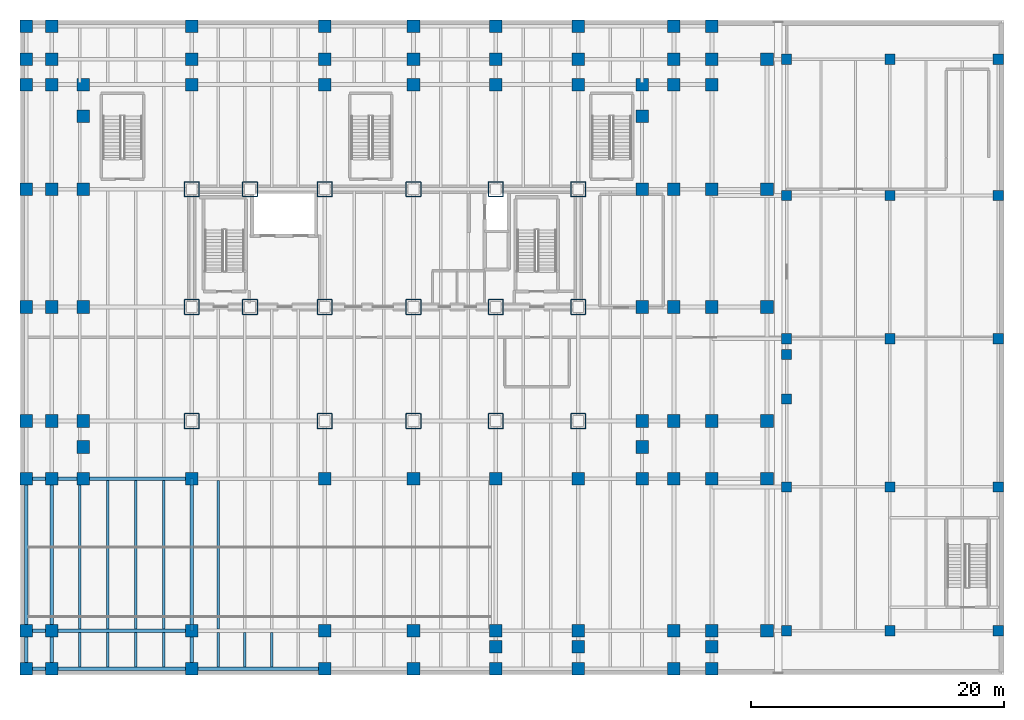
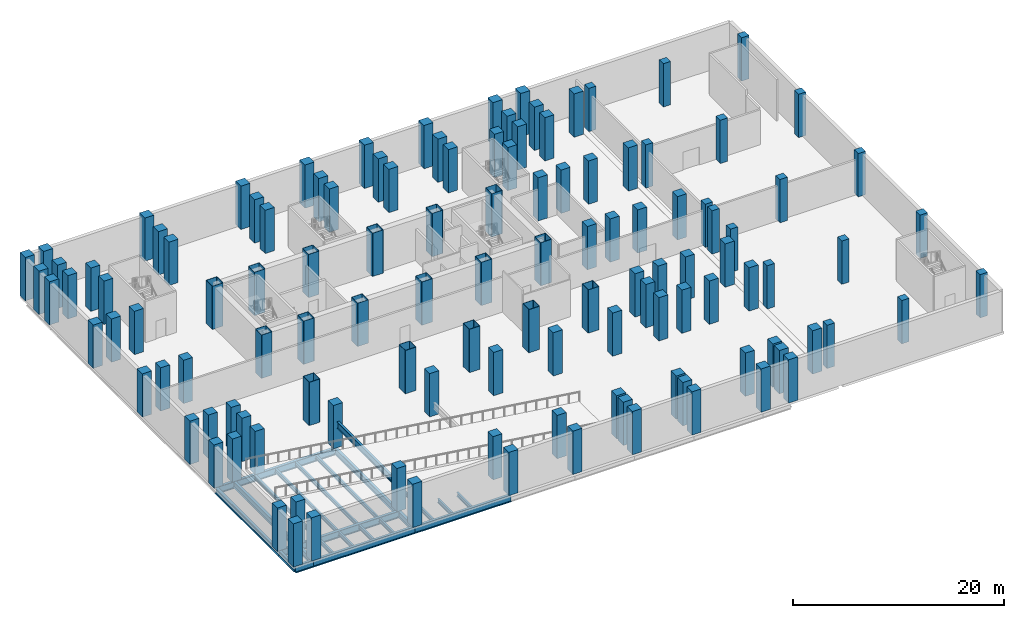
# One storey, part 1 of 18: 123 columns, 26 beams.
"""IFC4 building model written with IfcOpenShell, lengths in metres."""

from ifc_helpers import new_model, si_unit, direction, frame, origin, origin_2d, place, context, subcontext, project, spatial, rectangle, hollow_rectangle, i_section, extrude, material, material_profile, profile_set, type_object, element, save


model = new_model("IFC4")

# Units and contexts
model_context = context("Model", 3, precision=1e-05, world=origin(), true_north=direction((0.0, 1.0)))
body_context = subcontext(model_context, "Body", "Model", "MODEL_VIEW")
ifc_project = project(units=[si_unit("LENGTHUNIT", "METRE"), si_unit("AREAUNIT", "SQUARE_METRE"), si_unit("VOLUMEUNIT", "CUBIC_METRE"), si_unit("PLANEANGLEUNIT", "RADIAN"), si_unit("MASSUNIT", "GRAM", prefix="KILO")], contexts=[model_context])

# Site, building, storey
site_placement = place(None, origin())
site = spatial("IfcSite", under=ifc_project, at=site_placement, CompositionType="ELEMENT")
building_placement = place(site_placement, origin())
building = spatial("IfcBuilding", under=site, at=building_placement, Name="Noeulbin Bourse Tower", CompositionType="ELEMENT")
storey_placement = place(building_placement, frame((0.0, 0.0, -5.0)))
storey = spatial("IfcBuildingStorey", under=building, at=storey_placement, Name="B01", CompositionType="ELEMENT", Elevation=-5.0)

# Columns
ifc_material_1 = material(Name="Concrete C40/50", Category="concrete")
ifc_material_profile_1 = material_profile(ifc_material_1, rectangle(XDim=0.800048828125, YDim=0.800048828125, at=origin_2d()), Name="RC-COL-800x800", Category="LoadBearing")
ifc_profile_set_1 = profile_set([ifc_material_profile_1], Name="Concrete C40/50")
column_type_1 = type_object("IfcColumnType", Name="COL-MKT-RC", PredefinedType="COLUMN", material=ifc_profile_set_1)
for number, where, z_axis, x_axis, name in (
    (1, (60.449951171875, 3.449951171875, 0.0), (0.0, 0.0, 1.0), (1.0, 0.0, 0.0), "Market Hall Column COL-MKT-RC 01"),
    (2, (60.449951171875, 14.800048828125, 0.0), (0.0, 0.0, 1.0), (1.0, 0.0, 0.0), "Market Hall Column COL-MKT-RC 02"),
    (3, (60.449951171875, 21.75, 0.0), (0.0, 0.0, 1.0), (1.0, 0.0, 0.0), "Market Hall Column COL-MKT-RC 03"),
    (4, (60.449951171875, 25.25, 0.0), (0.0, 0.0, 1.0), (1.0, 0.0, 0.0), "Market Hall Column COL-MKT-RC 04"),
    (5, (60.449951171875, 26.5, 0.0), (0.0, 0.0, 1.0), (1.0, 0.0, 0.0), "Market Hall Column COL-MKT-RC 05"),
    (6, (60.449951171875, 37.800048828125, 0.0), (0.0, 0.0, 1.0), (1.0, 0.0, 0.0), "Market Hall Column COL-MKT-RC 06"),
    (7, (60.449951171875, 48.550048828125, 0.0), (0.0, 0.0, 1.0), (1.0, 0.0, 0.0), "Market Hall Column COL-MKT-RC 07"),
    (8, (68.60009765625, 3.449951171875, 0.0), (0.0, 0.0, 1.0), (1.0, 0.0, 0.0), "Market Hall Column COL-MKT-RC 08"),
    (9, (68.60009765625, 14.800048828125, 0.0), (0.0, 0.0, 1.0), (1.0, 0.0, 0.0), "Market Hall Column COL-MKT-RC 09"),
    (10, (68.60009765625, 26.5, 0.0), (0.0, 0.0, 1.0), (1.0, 0.0, 0.0), "Market Hall Column COL-MKT-RC 10"),
    (11, (68.60009765625, 37.800048828125, 0.0), (0.0, 0.0, 1.0), (1.0, 0.0, 0.0), "Market Hall Column COL-MKT-RC 11"),
    (12, (68.60009765625, 48.550048828125, 0.0), (0.0, 0.0, 1.0), (1.0, 0.0, 0.0), "Market Hall Column COL-MKT-RC 12"),
    (13, (77.14990234375, 3.449951171875, 0.0), (0.0, 0.0, 1.0), (1.0, 0.0, 0.0), "Market Hall Column COL-MKT-RC 13"),
    (14, (77.14990234375, 14.800048828125, 0.0), (0.0, 0.0, 1.0), (1.0, 0.0, 0.0), "Market Hall Column COL-MKT-RC 14"),
    (15, (77.14990234375, 26.5, 0.0), (0.0, 0.0, 1.0), (1.0, 0.0, 0.0), "Market Hall Column COL-MKT-RC 15"),
    (16, (77.14990234375, 37.800048828125, 0.0), (0.0, 0.0, 1.0), (1.0, 0.0, 0.0), "Market Hall Column COL-MKT-RC 16"),
    (17, (77.14990234375, 48.550048828125, 0.0), (0.0, 0.0, 1.0), (1.0, 0.0, 0.0), "Market Hall Column COL-MKT-RC 17"),
):
    element("IfcColumn", number, at=place(storey_placement, frame(where, z_axis=z_axis, x_axis=x_axis)), inside=storey, type_object=column_type_1, Name=name, PredefinedType="COLUMN", context=body_context, shape_type="SweptSolid", body=[
        extrude(rectangle(XDim=0.800048828125, YDim=0.800048828125, at=origin_2d()), origin(), (0.0, 0.0, 1.0), 5.0),
    ])
ifc_material_2 = material(Name="Concrete C50/60", Category="concrete")
ifc_material_profile_2 = material_profile(ifc_material_2, rectangle(XDim=1.0, YDim=1.0, at=origin_2d()), Name="RC-COL-1000x1000", Category="LoadBearing")
ifc_profile_set_2 = profile_set([ifc_material_profile_2], Name="Concrete C50/60")
column_type_2 = type_object("IfcColumnType", Name="COL-STN-RC", PredefinedType="COLUMN", material=ifc_profile_set_2)
for number, where, z_axis, x_axis, name in (
    (18, (0.449951171875, 0.449951171875, 0.0), (0.0, 0.0, 1.0), (1.0, 0.0, 0.0), "Podium Column COL-STN-RC 01"),
    (19, (0.449951171875, 3.449951171875, 0.0), (0.0, 0.0, 1.0), (1.0, 0.0, 0.0), "Podium Column COL-STN-RC 02"),
    (20, (0.449951171875, 15.449951171875, 0.0), (0.0, 0.0, 1.0), (1.0, 0.0, 0.0), "Podium Column COL-STN-RC 03"),
    (21, (0.449951171875, 20.0, 0.0), (0.0, 0.0, 1.0), (1.0, 0.0, 0.0), "Podium Column COL-STN-RC 04"),
    (22, (0.449951171875, 29.0, 0.0), (0.0, 0.0, 1.0), (1.0, 0.0, 0.0), "Podium Column COL-STN-RC 05"),
    (23, (0.449951171875, 38.300048828125, 0.0), (0.0, 0.0, 1.0), (1.0, 0.0, 0.0), "Podium Column COL-STN-RC 06"),
    (24, (0.449951171875, 46.550048828125, 0.0), (0.0, 0.0, 1.0), (1.0, 0.0, 0.0), "Podium Column COL-STN-RC 07"),
    (25, (0.449951171875, 48.550048828125, 0.0), (0.0, 0.0, 1.0), (1.0, 0.0, 0.0), "Podium Column COL-STN-RC 08"),
    (26, (0.449951171875, 51.14990234375, 0.0), (0.0, 0.0, 1.0), (1.0, 0.0, 0.0), "Podium Column COL-STN-RC 09"),
    (27, (2.449951171875, 0.449951171875, 0.0), (0.0, 0.0, 1.0), (1.0, 0.0, 0.0), "Podium Column COL-STN-RC 10"),
    (28, (2.449951171875, 3.449951171875, 0.0), (0.0, 0.0, 1.0), (1.0, 0.0, 0.0), "Podium Column COL-STN-RC 11"),
    (29, (2.449951171875, 15.449951171875, 0.0), (0.0, 0.0, 1.0), (1.0, 0.0, 0.0), "Podium Column COL-STN-RC 12"),
    (30, (2.449951171875, 20.0, 0.0), (0.0, 0.0, 1.0), (1.0, 0.0, 0.0), "Podium Column COL-STN-RC 13"),
    (31, (2.449951171875, 29.0, 0.0), (0.0, 0.0, 1.0), (1.0, 0.0, 0.0), "Podium Column COL-STN-RC 14"),
    (32, (2.449951171875, 38.300048828125, 0.0), (0.0, 0.0, 1.0), (1.0, 0.0, 0.0), "Podium Column COL-STN-RC 15"),
    (33, (2.449951171875, 46.550048828125, 0.0), (0.0, 0.0, 1.0), (1.0, 0.0, 0.0), "Podium Column COL-STN-RC 16"),
    (34, (2.449951171875, 48.550048828125, 0.0), (0.0, 0.0, 1.0), (1.0, 0.0, 0.0), "Podium Column COL-STN-RC 17"),
    (35, (2.449951171875, 51.14990234375, 0.0), (0.0, 0.0, 1.0), (1.0, 0.0, 0.0), "Podium Column COL-STN-RC 18"),
    (36, (4.949951171875, 15.449951171875, 0.0), (0.0, 0.0, 1.0), (1.0, 0.0, 0.0), "Podium Column COL-STN-RC 19"),
    (37, (4.949951171875, 17.949951171875, 0.0), (0.0, 0.0, 1.0), (1.0, 0.0, 0.0), "Podium Column COL-STN-RC 20"),
    (38, (4.949951171875, 20.0, 0.0), (0.0, 0.0, 1.0), (1.0, 0.0, 0.0), "Podium Column COL-STN-RC 21"),
    (39, (4.949951171875, 29.0, 0.0), (0.0, 0.0, 1.0), (1.0, 0.0, 0.0), "Podium Column COL-STN-RC 22"),
    (40, (4.949951171875, 38.300048828125, 0.0), (0.0, 0.0, 1.0), (1.0, 0.0, 0.0), "Podium Column COL-STN-RC 23"),
    (41, (4.949951171875, 44.050048828125, 0.0), (0.0, 0.0, 1.0), (1.0, 0.0, 0.0), "Podium Column COL-STN-RC 24"),
    (42, (4.949951171875, 46.550048828125, 0.0), (0.0, 0.0, 1.0), (1.0, 0.0, 0.0), "Podium Column COL-STN-RC 25"),
    (43, (13.5, 0.449951171875, 0.0), (0.0, 0.0, 1.0), (1.0, 0.0, 0.0), "Podium Column COL-STN-RC 26"),
    (44, (13.5, 3.449951171875, 0.0), (0.0, 0.0, 1.0), (1.0, 0.0, 0.0), "Podium Column COL-STN-RC 27"),
    (45, (13.5, 15.449951171875, 0.0), (0.0, 0.0, 1.0), (1.0, 0.0, 0.0), "Podium Column COL-STN-RC 28"),
    (46, (13.5, 46.550048828125, 0.0), (0.0, 0.0, 1.0), (1.0, 0.0, 0.0), "Podium Column COL-STN-RC 29"),
    (47, (13.5, 48.550048828125, 0.0), (0.0, 0.0, 1.0), (1.0, 0.0, 0.0), "Podium Column COL-STN-RC 30"),
    (48, (13.5, 51.14990234375, 0.0), (0.0, 0.0, 1.0), (1.0, 0.0, 0.0), "Podium Column COL-STN-RC 31"),
    (49, (24.0, 0.449951171875, 0.0), (0.0, 0.0, 1.0), (1.0, 0.0, 0.0), "Podium Column COL-STN-RC 32"),
    (50, (24.0, 3.449951171875, 0.0), (0.0, 0.0, 1.0), (1.0, 0.0, 0.0), "Podium Column COL-STN-RC 33"),
    (51, (24.0, 15.449951171875, 0.0), (0.0, 0.0, 1.0), (1.0, 0.0, 0.0), "Podium Column COL-STN-RC 34"),
    (52, (24.0, 46.550048828125, 0.0), (0.0, 0.0, 1.0), (1.0, 0.0, 0.0), "Podium Column COL-STN-RC 35"),
    (53, (24.0, 48.550048828125, 0.0), (0.0, 0.0, 1.0), (1.0, 0.0, 0.0), "Podium Column COL-STN-RC 36"),
    (54, (24.0, 51.14990234375, 0.0), (0.0, 0.0, 1.0), (1.0, 0.0, 0.0), "Podium Column COL-STN-RC 37"),
    (55, (31.0, 0.449951171875, 0.0), (0.0, 0.0, 1.0), (1.0, 0.0, 0.0), "Podium Column COL-STN-RC 38"),
    (56, (31.0, 3.449951171875, 0.0), (0.0, 0.0, 1.0), (1.0, 0.0, 0.0), "Podium Column COL-STN-RC 39"),
    (57, (31.0, 15.449951171875, 0.0), (0.0, 0.0, 1.0), (1.0, 0.0, 0.0), "Podium Column COL-STN-RC 40"),
    (58, (31.0, 46.550048828125, 0.0), (0.0, 0.0, 1.0), (1.0, 0.0, 0.0), "Podium Column COL-STN-RC 41"),
    (59, (31.0, 48.550048828125, 0.0), (0.0, 0.0, 1.0), (1.0, 0.0, 0.0), "Podium Column COL-STN-RC 42"),
    (60, (31.0, 51.14990234375, 0.0), (0.0, 0.0, 1.0), (1.0, 0.0, 0.0), "Podium Column COL-STN-RC 43"),
    (61, (37.5, 0.449951171875, 0.0), (0.0, 0.0, 1.0), (1.0, 0.0, 0.0), "Podium Column COL-STN-RC 44"),
    (62, (37.5, 2.199951171875, 0.0), (0.0, 0.0, 1.0), (1.0, 0.0, 0.0), "Podium Column COL-STN-RC 45"),
    (63, (37.5, 3.449951171875, 0.0), (0.0, 0.0, 1.0), (1.0, 0.0, 0.0), "Podium Column COL-STN-RC 46"),
    (64, (37.5, 15.449951171875, 0.0), (0.0, 0.0, 1.0), (1.0, 0.0, 0.0), "Podium Column COL-STN-RC 47"),
    (65, (37.5, 46.550048828125, 0.0), (0.0, 0.0, 1.0), (1.0, 0.0, 0.0), "Podium Column COL-STN-RC 48"),
    (66, (37.5, 48.550048828125, 0.0), (0.0, 0.0, 1.0), (1.0, 0.0, 0.0), "Podium Column COL-STN-RC 49"),
    (67, (37.5, 51.14990234375, 0.0), (0.0, 0.0, 1.0), (1.0, 0.0, 0.0), "Podium Column COL-STN-RC 50"),
    (68, (44.0, 0.449951171875, 0.0), (0.0, 0.0, 1.0), (1.0, 0.0, 0.0), "Podium Column COL-STN-RC 51"),
    (69, (44.0, 2.199951171875, 0.0), (0.0, 0.0, 1.0), (1.0, 0.0, 0.0), "Podium Column COL-STN-RC 52"),
    (70, (44.0, 3.449951171875, 0.0), (0.0, 0.0, 1.0), (1.0, 0.0, 0.0), "Podium Column COL-STN-RC 53"),
    (71, (44.0, 15.449951171875, 0.0), (0.0, 0.0, 1.0), (1.0, 0.0, 0.0), "Podium Column COL-STN-RC 54"),
    (72, (44.0, 46.550048828125, 0.0), (0.0, 0.0, 1.0), (1.0, 0.0, 0.0), "Podium Column COL-STN-RC 55"),
    (73, (44.0, 48.550048828125, 0.0), (0.0, 0.0, 1.0), (1.0, 0.0, 0.0), "Podium Column COL-STN-RC 56"),
    (74, (44.0, 51.14990234375, 0.0), (0.0, 0.0, 1.0), (1.0, 0.0, 0.0), "Podium Column COL-STN-RC 57"),
    (75, (49.050048828125, 15.449951171875, 0.0), (0.0, 0.0, 1.0), (1.0, 0.0, 0.0), "Podium Column COL-STN-RC 58"),
    (76, (49.050048828125, 17.949951171875, 0.0), (0.0, 0.0, 1.0), (1.0, 0.0, 0.0), "Podium Column COL-STN-RC 59"),
    (77, (49.050048828125, 20.0, 0.0), (0.0, 0.0, 1.0), (1.0, 0.0, 0.0), "Podium Column COL-STN-RC 60"),
    (78, (49.050048828125, 29.0, 0.0), (0.0, 0.0, 1.0), (1.0, 0.0, 0.0), "Podium Column COL-STN-RC 61"),
    (79, (49.050048828125, 38.300048828125, 0.0), (0.0, 0.0, 1.0), (1.0, 0.0, 0.0), "Podium Column COL-STN-RC 62"),
    (80, (49.050048828125, 44.050048828125, 0.0), (0.0, 0.0, 1.0), (1.0, 0.0, 0.0), "Podium Column COL-STN-RC 63"),
    (81, (49.050048828125, 46.550048828125, 0.0), (0.0, 0.0, 1.0), (1.0, 0.0, 0.0), "Podium Column COL-STN-RC 64"),
    (82, (51.550048828125, 0.449951171875, 0.0), (0.0, 0.0, 1.0), (1.0, 0.0, 0.0), "Podium Column COL-STN-RC 65"),
    (83, (51.550048828125, 3.449951171875, 0.0), (0.0, 0.0, 1.0), (1.0, 0.0, 0.0), "Podium Column COL-STN-RC 66"),
    (84, (51.550048828125, 15.449951171875, 0.0), (0.0, 0.0, 1.0), (1.0, 0.0, 0.0), "Podium Column COL-STN-RC 67"),
    (85, (51.550048828125, 20.0, 0.0), (0.0, 0.0, 1.0), (1.0, 0.0, 0.0), "Podium Column COL-STN-RC 68"),
    (86, (51.550048828125, 29.0, 0.0), (0.0, 0.0, 1.0), (1.0, 0.0, 0.0), "Podium Column COL-STN-RC 69"),
    (87, (51.550048828125, 38.300048828125, 0.0), (0.0, 0.0, 1.0), (1.0, 0.0, 0.0), "Podium Column COL-STN-RC 70"),
    (88, (51.550048828125, 46.550048828125, 0.0), (0.0, 0.0, 1.0), (1.0, 0.0, 0.0), "Podium Column COL-STN-RC 71"),
    (89, (51.550048828125, 48.550048828125, 0.0), (0.0, 0.0, 1.0), (1.0, 0.0, 0.0), "Podium Column COL-STN-RC 72"),
    (90, (51.550048828125, 51.14990234375, 0.0), (0.0, 0.0, 1.0), (1.0, 0.0, 0.0), "Podium Column COL-STN-RC 73"),
    (91, (54.550048828125, 0.449951171875, 0.0), (0.0, 0.0, 1.0), (1.0, 0.0, 0.0), "Podium Column COL-STN-RC 74"),
    (92, (54.550048828125, 2.199951171875, 0.0), (0.0, 0.0, 1.0), (1.0, 0.0, 0.0), "Podium Column COL-STN-RC 75"),
    (93, (54.550048828125, 3.449951171875, 0.0), (0.0, 0.0, 1.0), (1.0, 0.0, 0.0), "Podium Column COL-STN-RC 76"),
    (94, (54.550048828125, 15.449951171875, 0.0), (0.0, 0.0, 1.0), (1.0, 0.0, 0.0), "Podium Column COL-STN-RC 77"),
    (95, (54.550048828125, 20.0, 0.0), (0.0, 0.0, 1.0), (1.0, 0.0, 0.0), "Podium Column COL-STN-RC 78"),
    (96, (54.550048828125, 29.0, 0.0), (0.0, 0.0, 1.0), (1.0, 0.0, 0.0), "Podium Column COL-STN-RC 79"),
    (97, (54.550048828125, 38.300048828125, 0.0), (0.0, 0.0, 1.0), (1.0, 0.0, 0.0), "Podium Column COL-STN-RC 80"),
    (98, (54.550048828125, 46.550048828125, 0.0), (0.0, 0.0, 1.0), (1.0, 0.0, 0.0), "Podium Column COL-STN-RC 81"),
    (99, (54.550048828125, 48.550048828125, 0.0), (0.0, 0.0, 1.0), (1.0, 0.0, 0.0), "Podium Column COL-STN-RC 82"),
    (100, (54.550048828125, 51.14990234375, 0.0), (0.0, 0.0, 1.0), (1.0, 0.0, 0.0), "Podium Column COL-STN-RC 83"),
    (101, (58.89990234375, 3.449951171875, 0.0), (0.0, 0.0, 1.0), (1.0, 0.0, 0.0), "Podium Column COL-STN-RC 84"),
    (102, (58.89990234375, 15.449951171875, 0.0), (0.0, 0.0, 1.0), (1.0, 0.0, 0.0), "Podium Column COL-STN-RC 85"),
    (103, (58.89990234375, 20.0, 0.0), (0.0, 0.0, 1.0), (1.0, 0.0, 0.0), "Podium Column COL-STN-RC 86"),
    (104, (58.89990234375, 29.0, 0.0), (0.0, 0.0, 1.0), (1.0, 0.0, 0.0), "Podium Column COL-STN-RC 87"),
    (105, (58.89990234375, 38.300048828125, 0.0), (0.0, 0.0, 1.0), (1.0, 0.0, 0.0), "Podium Column COL-STN-RC 88"),
    (106, (58.89990234375, 48.550048828125, 0.0), (0.0, 0.0, 1.0), (1.0, 0.0, 0.0), "Podium Column COL-STN-RC 89"),
):
    element("IfcColumn", number, at=place(storey_placement, frame(where, z_axis=z_axis, x_axis=x_axis)), inside=storey, type_object=column_type_2, Name=name, PredefinedType="COLUMN", context=body_context, shape_type="SweptSolid", body=[
        extrude(rectangle(XDim=1.0, YDim=1.0, at=origin_2d()), origin(), (0.0, 0.0, 1.0), 5.0),
    ])
ifc_material_3 = material(Name="Steel S460", Category="steel")
ifc_material_profile_3 = material_profile(ifc_material_3, hollow_rectangle(XDim=1.199951171875, YDim=1.199951171875, WallThickness=0.0400390625, InnerFilletRadius=0.02001953125, OuterFilletRadius=0.06005859375, at=origin_2d()), Name="BOX-1200x1200x40", Category="LoadBearing")
ifc_profile_set_3 = profile_set([ifc_material_profile_3], Name="Steel S460")
column_type_3 = type_object("IfcColumnType", Name="COL-TRK-Z0", PredefinedType="COLUMN", material=ifc_profile_set_3)
for number, where, z_axis, x_axis, name in (
    (107, (13.5, 29.0, 0.0), (0.0, 0.0, 1.0), (1.0, 0.0, 0.0), "Tower Trunk Mega-Column COL-TRK-Z0 01"),
    (108, (13.5, 38.300048828125, 0.0), (0.0, 0.0, 1.0), (1.0, 0.0, 0.0), "Tower Trunk Mega-Column COL-TRK-Z0 02"),
    (109, (18.10009765625, 29.0, 0.0), (0.0, 0.0, 1.0), (1.0, 0.0, 0.0), "Tower Trunk Mega-Column COL-TRK-Z0 03"),
    (110, (18.10009765625, 38.300048828125, 0.0), (0.0, 0.0, 1.0), (1.0, 0.0, 0.0), "Tower Trunk Mega-Column COL-TRK-Z0 04"),
    (111, (24.0, 29.0, 0.0), (0.0, 0.0, 1.0), (1.0, 0.0, 0.0), "Tower Trunk Mega-Column COL-TRK-Z0 05"),
    (112, (24.0, 38.300048828125, 0.0), (0.0, 0.0, 1.0), (1.0, 0.0, 0.0), "Tower Trunk Mega-Column COL-TRK-Z0 06"),
    (113, (31.0, 29.0, 0.0), (0.0, 0.0, 1.0), (1.0, 0.0, 0.0), "Tower Trunk Mega-Column COL-TRK-Z0 07"),
    (114, (31.0, 38.300048828125, 0.0), (0.0, 0.0, 1.0), (1.0, 0.0, 0.0), "Tower Trunk Mega-Column COL-TRK-Z0 08"),
    (115, (37.5, 29.0, 0.0), (0.0, 0.0, 1.0), (1.0, 0.0, 0.0), "Tower Trunk Mega-Column COL-TRK-Z0 09"),
    (116, (37.5, 38.300048828125, 0.0), (0.0, 0.0, 1.0), (1.0, 0.0, 0.0), "Tower Trunk Mega-Column COL-TRK-Z0 10"),
    (117, (44.0, 29.0, 0.0), (0.0, 0.0, 1.0), (1.0, 0.0, 0.0), "Tower Trunk Mega-Column COL-TRK-Z0 11"),
    (118, (44.0, 38.300048828125, 0.0), (0.0, 0.0, 1.0), (1.0, 0.0, 0.0), "Tower Trunk Mega-Column COL-TRK-Z0 12"),
    (119, (13.5, 20.0, 0.0), (0.0, 0.0, 1.0), (1.0, 0.0, 0.0), "Tower Trunk Mega-Column COL-TRK-Z0 13"),
    (120, (24.0, 20.0, 0.0), (0.0, 0.0, 1.0), (1.0, 0.0, 0.0), "Tower Trunk Mega-Column COL-TRK-Z0 14"),
    (121, (31.0, 20.0, 0.0), (0.0, 0.0, 1.0), (1.0, 0.0, 0.0), "Tower Trunk Mega-Column COL-TRK-Z0 15"),
    (122, (37.5, 20.0, 0.0), (0.0, 0.0, 1.0), (1.0, 0.0, 0.0), "Tower Trunk Mega-Column COL-TRK-Z0 16"),
    (123, (44.0, 20.0, 0.0), (0.0, 0.0, 1.0), (1.0, 0.0, 0.0), "Tower Trunk Mega-Column COL-TRK-Z0 17"),
):
    element("IfcColumn", number, at=place(storey_placement, frame(where, z_axis=z_axis, x_axis=x_axis)), inside=storey, type_object=column_type_3, Name=name, PredefinedType="COLUMN", context=body_context, shape_type="SweptSolid", body=[
        extrude(hollow_rectangle(XDim=1.199951171875, YDim=1.199951171875, WallThickness=0.0400390625, InnerFilletRadius=0.02001953125, OuterFilletRadius=0.06005859375, at=origin_2d()), origin(), (0.0, 0.0, 1.0), 5.0),
    ])

# Beams
ifc_material_4 = material(Name="Steel S355", Category="steel")
ifc_material_profile_4 = material_profile(ifc_material_4, i_section(OverallWidth=0.300048828125, OverallDepth=0.699951171875, WebThickness=0.012939453125, FlangeThickness=0.02392578125, FilletRadius=0.02392578125, at=origin_2d()), Name="H-700x300x13x24", Category="LoadBearing")
ifc_profile_set_4 = profile_set([ifc_material_profile_4], Name="Steel S355")
beam_type_1 = type_object("IfcBeamType", Name="BM-GRD-700", PredefinedType="USERDEFINED", material=ifc_profile_set_4)
beam_1_placement = place(storey_placement, frame((0.449951171875, 0.449951171875, -0.6298828125), z_axis=(0.0, 1.0, 0.0), x_axis=(-1.0, 0.0, 0.0)))
element("IfcBeam", 124, at=beam_1_placement, inside=storey, type_object=beam_type_1, Name="Podium Primary Girder NS B01-073", ObjectType="GIRDER", PredefinedType="USERDEFINED", context=body_context, shape_type="SweptSolid", body=[
    extrude(i_section(OverallWidth=0.300048828125, OverallDepth=0.699951171875, WebThickness=0.012939453125, FlangeThickness=0.02392578125, FilletRadius=0.02392578125, at=origin_2d()), origin(), (0.0, 0.0, 1.0), 3.0),
])
beam_2_placement = place(storey_placement, frame((0.449951171875, 3.449951171875, -0.6298828125), z_axis=(0.0, 1.0, 0.0), x_axis=(-1.0, 0.0, 0.0)))
element("IfcBeam", 125, at=beam_2_placement, inside=storey, type_object=beam_type_1, Name="Podium Primary Girder NS B01-074", ObjectType="GIRDER", PredefinedType="USERDEFINED", context=body_context, shape_type="SweptSolid", body=[
    extrude(i_section(OverallWidth=0.300048828125, OverallDepth=0.699951171875, WebThickness=0.012939453125, FlangeThickness=0.02392578125, FilletRadius=0.02392578125, at=origin_2d()), origin(), (0.0, 0.0, 1.0), 12.0),
])
beam_3_placement = place(storey_placement, frame((2.449951171875, 0.449951171875, -0.6298828125), z_axis=(0.0, 1.0, 0.0), x_axis=(-1.0, 0.0, 0.0)))
element("IfcBeam", 126, at=beam_3_placement, inside=storey, type_object=beam_type_1, Name="Podium Primary Girder NS B01-081", ObjectType="GIRDER", PredefinedType="USERDEFINED", context=body_context, shape_type="SweptSolid", body=[
    extrude(i_section(OverallWidth=0.300048828125, OverallDepth=0.699951171875, WebThickness=0.012939453125, FlangeThickness=0.02392578125, FilletRadius=0.02392578125, at=origin_2d()), origin(), (0.0, 0.0, 1.0), 3.0),
])
beam_4_placement = place(storey_placement, frame((2.449951171875, 3.449951171875, -0.6298828125), z_axis=(0.0, 1.0, 0.0), x_axis=(-1.0, 0.0, 0.0)))
element("IfcBeam", 127, at=beam_4_placement, inside=storey, type_object=beam_type_1, Name="Podium Primary Girder NS B01-082", ObjectType="GIRDER", PredefinedType="USERDEFINED", context=body_context, shape_type="SweptSolid", body=[
    extrude(i_section(OverallWidth=0.300048828125, OverallDepth=0.699951171875, WebThickness=0.012939453125, FlangeThickness=0.02392578125, FilletRadius=0.02392578125, at=origin_2d()), origin(), (0.0, 0.0, 1.0), 12.0),
])
beam_5_placement = place(storey_placement, frame((13.5, 0.449951171875, -0.6298828125), z_axis=(0.0, 1.0, 0.0), x_axis=(-1.0, 0.0, 0.0)))
element("IfcBeam", 128, at=beam_5_placement, inside=storey, type_object=beam_type_1, Name="Podium Primary Girder NS B01-089", ObjectType="GIRDER", PredefinedType="USERDEFINED", context=body_context, shape_type="SweptSolid", body=[
    extrude(i_section(OverallWidth=0.300048828125, OverallDepth=0.699951171875, WebThickness=0.012939453125, FlangeThickness=0.02392578125, FilletRadius=0.02392578125, at=origin_2d()), origin(), (0.0, 0.0, 1.0), 3.0),
])
beam_6_placement = place(storey_placement, frame((13.5, 3.449951171875, -0.6298828125), z_axis=(0.0, 1.0, 0.0), x_axis=(-1.0, 0.0, 0.0)))
element("IfcBeam", 129, at=beam_6_placement, inside=storey, type_object=beam_type_1, Name="Podium Primary Girder NS B01-090", ObjectType="GIRDER", PredefinedType="USERDEFINED", context=body_context, shape_type="SweptSolid", body=[
    extrude(i_section(OverallWidth=0.300048828125, OverallDepth=0.699951171875, WebThickness=0.012939453125, FlangeThickness=0.02392578125, FilletRadius=0.02392578125, at=origin_2d()), origin(), (0.0, 0.0, 1.0), 12.0),
])
ifc_material_profile_5 = material_profile(ifc_material_4, i_section(OverallWidth=0.25, OverallDepth=0.75, WebThickness=0.012939453125, FlangeThickness=0.02392578125, FilletRadius=0.02392578125, at=origin_2d()), Name="H-750x250x13x24", Category="LoadBearing")
ifc_profile_set_5 = profile_set([ifc_material_profile_5], Name="Steel S355")
beam_type_2 = type_object("IfcBeamType", Name="BM-GRD-750", PredefinedType="USERDEFINED", material=ifc_profile_set_5)
beam_7_placement = place(storey_placement, frame((13.5, 3.449951171875, 2.614990234375), z_axis=(0.0, 1.0, 0.0), x_axis=(-1.0, 0.0, 0.0)))
element("IfcBeam", 130, at=beam_7_placement, inside=storey, type_object=beam_type_2, Name="BM-B01-RMP-MID1", ObjectType="GIRDER", PredefinedType="USERDEFINED", context=body_context, shape_type="SweptSolid", body=[
    extrude(i_section(OverallWidth=0.25, OverallDepth=0.75, WebThickness=0.012939453125, FlangeThickness=0.02392578125, FilletRadius=0.02392578125, at=origin_2d()), origin(), (0.0, 0.0, 1.0), 12.0),
])
ifc_material_profile_6 = material_profile(ifc_material_4, i_section(OverallWidth=0.300048828125, OverallDepth=0.800048828125, WebThickness=0.013916015625, FlangeThickness=0.02587890625, FilletRadius=0.02587890625, at=origin_2d()), Name="H-800x300x14x26", Category="LoadBearing")
ifc_profile_set_6 = profile_set([ifc_material_profile_6], Name="Steel S355")
beam_type_3 = type_object("IfcBeamType", Name="BM-GRD-800", PredefinedType="USERDEFINED", material=ifc_profile_set_6)
beam_8_placement = place(storey_placement, frame((0.449951171875, 0.449951171875, -0.679931640625), z_axis=(1.0, 0.0, 0.0), x_axis=(0.0, 1.0, 0.0)))
element("IfcBeam", 131, at=beam_8_placement, inside=storey, type_object=beam_type_3, Name="Podium Primary Girder EW B01-001", ObjectType="GIRDER", PredefinedType="USERDEFINED", context=body_context, shape_type="SweptSolid", body=[
    extrude(i_section(OverallWidth=0.300048828125, OverallDepth=0.800048828125, WebThickness=0.013916015625, FlangeThickness=0.02587890625, FilletRadius=0.02587890625, at=origin_2d()), origin(), (0.0, 0.0, 1.0), 2.0),
])
beam_9_placement = place(storey_placement, frame((2.449951171875, 0.449951171875, -0.679931640625), z_axis=(1.0, 0.0, 0.0), x_axis=(0.0, 1.0, 0.0)))
element("IfcBeam", 132, at=beam_9_placement, inside=storey, type_object=beam_type_3, Name="Podium Primary Girder EW B01-002", ObjectType="GIRDER", PredefinedType="USERDEFINED", context=body_context, shape_type="SweptSolid", body=[
    extrude(i_section(OverallWidth=0.300048828125, OverallDepth=0.800048828125, WebThickness=0.013916015625, FlangeThickness=0.02587890625, FilletRadius=0.02587890625, at=origin_2d()), origin(), (0.0, 0.0, 1.0), 11.050048828125),
])
beam_10_placement = place(storey_placement, frame((13.5, 0.449951171875, -0.679931640625), z_axis=(1.0, 0.0, 0.0), x_axis=(0.0, 1.0, 0.0)))
element("IfcBeam", 133, at=beam_10_placement, inside=storey, type_object=beam_type_3, Name="Podium Primary Girder EW B01-003", ObjectType="GIRDER", PredefinedType="USERDEFINED", context=body_context, shape_type="SweptSolid", body=[
    extrude(i_section(OverallWidth=0.300048828125, OverallDepth=0.800048828125, WebThickness=0.013916015625, FlangeThickness=0.02587890625, FilletRadius=0.02587890625, at=origin_2d()), origin(), (0.0, 0.0, 1.0), 10.5),
])
beam_11_placement = place(storey_placement, frame((0.449951171875, 3.449951171875, -0.679931640625), z_axis=(1.0, 0.0, 0.0), x_axis=(0.0, 1.0, 0.0)))
element("IfcBeam", 134, at=beam_11_placement, inside=storey, type_object=beam_type_3, Name="Podium Primary Girder EW B01-009", ObjectType="GIRDER", PredefinedType="USERDEFINED", context=body_context, shape_type="SweptSolid", body=[
    extrude(i_section(OverallWidth=0.300048828125, OverallDepth=0.800048828125, WebThickness=0.013916015625, FlangeThickness=0.02587890625, FilletRadius=0.02587890625, at=origin_2d()), origin(), (0.0, 0.0, 1.0), 2.0),
])
beam_12_placement = place(storey_placement, frame((2.449951171875, 3.449951171875, -0.679931640625), z_axis=(1.0, 0.0, 0.0), x_axis=(0.0, 1.0, 0.0)))
element("IfcBeam", 135, at=beam_12_placement, inside=storey, type_object=beam_type_3, Name="Podium Primary Girder EW B01-010", ObjectType="GIRDER", PredefinedType="USERDEFINED", context=body_context, shape_type="SweptSolid", body=[
    extrude(i_section(OverallWidth=0.300048828125, OverallDepth=0.800048828125, WebThickness=0.013916015625, FlangeThickness=0.02587890625, FilletRadius=0.02587890625, at=origin_2d()), origin(), (0.0, 0.0, 1.0), 11.050048828125),
])
beam_13_placement = place(storey_placement, frame((0.449951171875, 15.449951171875, -0.679931640625), z_axis=(1.0, 0.0, 0.0), x_axis=(0.0, 1.0, 0.0)))
element("IfcBeam", 136, at=beam_13_placement, inside=storey, type_object=beam_type_3, Name="Podium Primary Girder EW B01-017", ObjectType="GIRDER", PredefinedType="USERDEFINED", context=body_context, shape_type="SweptSolid", body=[
    extrude(i_section(OverallWidth=0.300048828125, OverallDepth=0.800048828125, WebThickness=0.013916015625, FlangeThickness=0.02587890625, FilletRadius=0.02587890625, at=origin_2d()), origin(), (0.0, 0.0, 1.0), 2.0),
])
beam_14_placement = place(storey_placement, frame((2.449951171875, 15.449951171875, -0.679931640625), z_axis=(1.0, 0.0, 0.0), x_axis=(0.0, 1.0, 0.0)))
element("IfcBeam", 137, at=beam_14_placement, inside=storey, type_object=beam_type_3, Name="Podium Primary Girder EW B01-018", ObjectType="GIRDER", PredefinedType="USERDEFINED", context=body_context, shape_type="SweptSolid", body=[
    extrude(i_section(OverallWidth=0.300048828125, OverallDepth=0.800048828125, WebThickness=0.013916015625, FlangeThickness=0.02587890625, FilletRadius=0.02587890625, at=origin_2d()), origin(), (0.0, 0.0, 1.0), 11.050048828125),
])
ifc_material_profile_7 = material_profile(ifc_material_4, i_section(OverallWidth=0.199951171875, OverallDepth=0.449951171875, WebThickness=0.009033203125, FlangeThickness=0.013916015625, FilletRadius=0.01806640625, at=origin_2d()), Name="H-450x200x9x14", Category="LoadBearing")
ifc_profile_set_7 = profile_set([ifc_material_profile_7], Name="Steel S355")
beam_type_4 = type_object("IfcBeamType", Name="BM-SEC-450", PredefinedType="BEAM", material=ifc_profile_set_7)
beam_15_placement = place(storey_placement, frame((4.659912109375, 0.60009765625, -0.5048828125), z_axis=(0.0, 1.0, 0.0), x_axis=(-1.0, 0.0, 0.0)))
element("IfcBeam", 138, at=beam_15_placement, inside=storey, type_object=beam_type_4, Name="Podium Secondary Beam B01-001", PredefinedType="BEAM", context=body_context, shape_type="SweptSolid", body=[
    extrude(i_section(OverallWidth=0.199951171875, OverallDepth=0.449951171875, WebThickness=0.009033203125, FlangeThickness=0.013916015625, FilletRadius=0.01806640625, at=origin_2d()), origin(), (0.0, 0.0, 1.0), 2.699951171875),
])
beam_16_placement = place(storey_placement, frame((4.659912109375, 3.60009765625, -0.5048828125), z_axis=(0.0, 1.0, 0.0), x_axis=(-1.0, 0.0, 0.0)))
element("IfcBeam", 139, at=beam_16_placement, inside=storey, type_object=beam_type_4, Name="Podium Secondary Beam B01-002", PredefinedType="BEAM", context=body_context, shape_type="SweptSolid", body=[
    extrude(i_section(OverallWidth=0.199951171875, OverallDepth=0.449951171875, WebThickness=0.009033203125, FlangeThickness=0.013916015625, FilletRadius=0.01806640625, at=origin_2d()), origin(), (0.0, 0.0, 1.0), 11.699951171875),
])
beam_17_placement = place(storey_placement, frame((6.8701171875, 0.60009765625, -0.5048828125), z_axis=(0.0, 1.0, 0.0), x_axis=(-1.0, 0.0, 0.0)))
element("IfcBeam", 140, at=beam_17_placement, inside=storey, type_object=beam_type_4, Name="Podium Secondary Beam B01-009", PredefinedType="BEAM", context=body_context, shape_type="SweptSolid", body=[
    extrude(i_section(OverallWidth=0.199951171875, OverallDepth=0.449951171875, WebThickness=0.009033203125, FlangeThickness=0.013916015625, FilletRadius=0.01806640625, at=origin_2d()), origin(), (0.0, 0.0, 1.0), 2.699951171875),
])
beam_18_placement = place(storey_placement, frame((6.8701171875, 3.60009765625, -0.5048828125), z_axis=(0.0, 1.0, 0.0), x_axis=(-1.0, 0.0, 0.0)))
element("IfcBeam", 141, at=beam_18_placement, inside=storey, type_object=beam_type_4, Name="Podium Secondary Beam B01-010", PredefinedType="BEAM", context=body_context, shape_type="SweptSolid", body=[
    extrude(i_section(OverallWidth=0.199951171875, OverallDepth=0.449951171875, WebThickness=0.009033203125, FlangeThickness=0.013916015625, FilletRadius=0.01806640625, at=origin_2d()), origin(), (0.0, 0.0, 1.0), 11.699951171875),
])
beam_19_placement = place(storey_placement, frame((9.080078125, 0.60009765625, -0.5048828125), z_axis=(0.0, 1.0, 0.0), x_axis=(-1.0, 0.0, 0.0)))
element("IfcBeam", 142, at=beam_19_placement, inside=storey, type_object=beam_type_4, Name="Podium Secondary Beam B01-016", PredefinedType="BEAM", context=body_context, shape_type="SweptSolid", body=[
    extrude(i_section(OverallWidth=0.199951171875, OverallDepth=0.449951171875, WebThickness=0.009033203125, FlangeThickness=0.013916015625, FilletRadius=0.01806640625, at=origin_2d()), origin(), (0.0, 0.0, 1.0), 2.699951171875),
])
beam_20_placement = place(storey_placement, frame((9.080078125, 3.60009765625, -0.5048828125), z_axis=(0.0, 1.0, 0.0), x_axis=(-1.0, 0.0, 0.0)))
element("IfcBeam", 143, at=beam_20_placement, inside=storey, type_object=beam_type_4, Name="Podium Secondary Beam B01-017", PredefinedType="BEAM", context=body_context, shape_type="SweptSolid", body=[
    extrude(i_section(OverallWidth=0.199951171875, OverallDepth=0.449951171875, WebThickness=0.009033203125, FlangeThickness=0.013916015625, FilletRadius=0.01806640625, at=origin_2d()), origin(), (0.0, 0.0, 1.0), 11.699951171875),
])
beam_21_placement = place(storey_placement, frame((11.2900390625, 0.60009765625, -0.5048828125), z_axis=(0.0, 1.0, 0.0), x_axis=(-1.0, 0.0, 0.0)))
element("IfcBeam", 144, at=beam_21_placement, inside=storey, type_object=beam_type_4, Name="Podium Secondary Beam B01-023", PredefinedType="BEAM", context=body_context, shape_type="SweptSolid", body=[
    extrude(i_section(OverallWidth=0.199951171875, OverallDepth=0.449951171875, WebThickness=0.009033203125, FlangeThickness=0.013916015625, FilletRadius=0.01806640625, at=origin_2d()), origin(), (0.0, 0.0, 1.0), 2.699951171875),
])
beam_22_placement = place(storey_placement, frame((11.2900390625, 3.60009765625, -0.5048828125), z_axis=(0.0, 1.0, 0.0), x_axis=(-1.0, 0.0, 0.0)))
element("IfcBeam", 145, at=beam_22_placement, inside=storey, type_object=beam_type_4, Name="Podium Secondary Beam B01-024", PredefinedType="BEAM", context=body_context, shape_type="SweptSolid", body=[
    extrude(i_section(OverallWidth=0.199951171875, OverallDepth=0.449951171875, WebThickness=0.009033203125, FlangeThickness=0.013916015625, FilletRadius=0.01806640625, at=origin_2d()), origin(), (0.0, 0.0, 1.0), 11.699951171875),
])
beam_23_placement = place(storey_placement, frame((15.60009765625, 0.60009765625, -0.5048828125), z_axis=(0.0, 1.0, 0.0), x_axis=(-1.0, 0.0, 0.0)))
element("IfcBeam", 146, at=beam_23_placement, inside=storey, type_object=beam_type_4, Name="Podium Secondary Beam B01-031", PredefinedType="BEAM", context=body_context, shape_type="SweptSolid", body=[
    extrude(i_section(OverallWidth=0.199951171875, OverallDepth=0.449951171875, WebThickness=0.009033203125, FlangeThickness=0.013916015625, FilletRadius=0.01806640625, at=origin_2d()), origin(), (0.0, 0.0, 1.0), 2.699951171875),
])
beam_24_placement = place(storey_placement, frame((15.60009765625, 3.60009765625, -0.5048828125), z_axis=(0.0, 1.0, 0.0), x_axis=(-1.0, 0.0, 0.0)))
element("IfcBeam", 147, at=beam_24_placement, inside=storey, type_object=beam_type_4, Name="Podium Secondary Beam B01-032", PredefinedType="BEAM", context=body_context, shape_type="SweptSolid", body=[
    extrude(i_section(OverallWidth=0.199951171875, OverallDepth=0.449951171875, WebThickness=0.009033203125, FlangeThickness=0.013916015625, FilletRadius=0.01806640625, at=origin_2d()), origin(), (0.0, 0.0, 1.0), 11.699951171875),
])
for number, where, z_axis, x_axis, name in (
    (148, (17.699951171875, 0.60009765625, -0.5048828125), (0.0, 1.0, 0.0), (-1.0, 0.0, 0.0), "Podium Secondary Beam B01-038"),
    (149, (19.800048828125, 0.60009765625, -0.5048828125), (0.0, 1.0, 0.0), (-1.0, 0.0, 0.0), "Podium Secondary Beam B01-045"),
):
    element("IfcBeam", number, at=place(storey_placement, frame(where, z_axis=z_axis, x_axis=x_axis)), inside=storey, type_object=beam_type_4, Name=name, PredefinedType="BEAM", context=body_context, shape_type="SweptSolid", body=[
        extrude(i_section(OverallWidth=0.199951171875, OverallDepth=0.449951171875, WebThickness=0.009033203125, FlangeThickness=0.013916015625, FilletRadius=0.01806640625, at=origin_2d()), origin(), (0.0, 0.0, 1.0), 2.699951171875),
    ])

save(model, "model.ifc")
